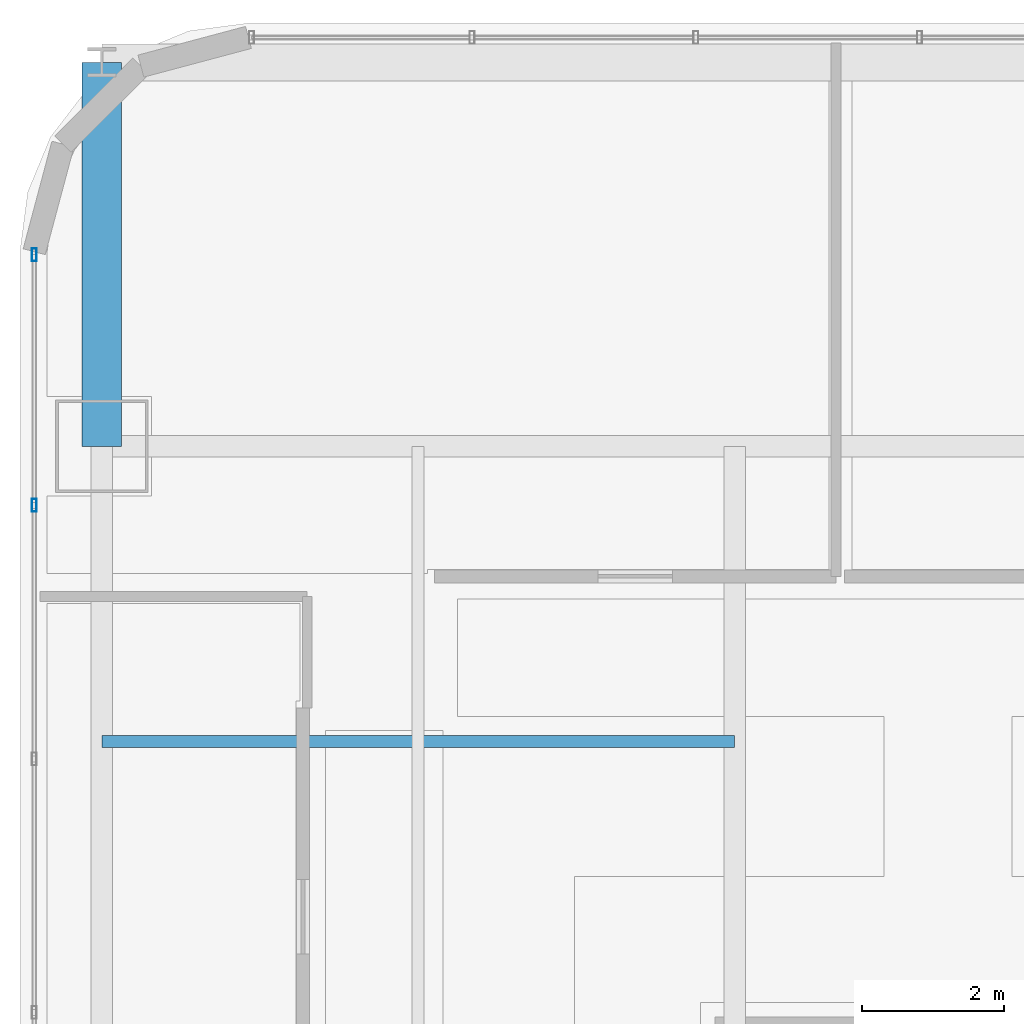
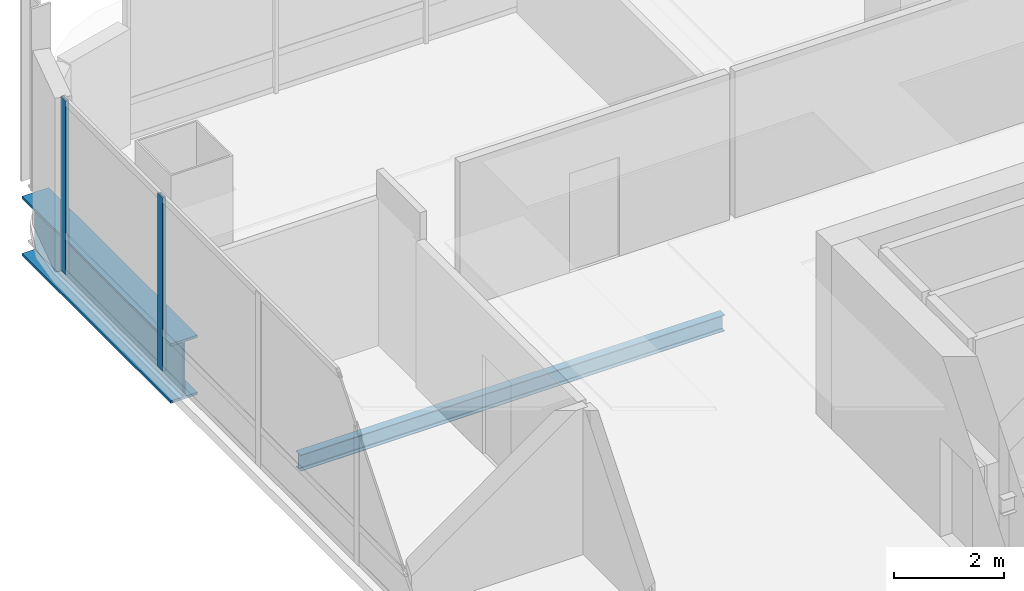
# One storey, part 20 of 44: 2 beams, 2 members, 1 element without a shape of its own.
"""IFC4 building model written with IfcOpenShell, lengths in metres."""

from ifc_helpers import new_model, si_unit, direction, frame, origin, origin_2d, place, context, subcontext, project, spatial, hollow_rectangle, i_section, extrude, material, material_profile, profile_set, type_object, element, aggregate, save


model = new_model("IFC4")

# Units and contexts
model_context = context("Model", 3, precision=1e-05, world=origin(), true_north=direction((0.0, 1.0)))
body_context = subcontext(model_context, "Body", "Model", "MODEL_VIEW")
ifc_project = project(units=[si_unit("LENGTHUNIT", "METRE"), si_unit("AREAUNIT", "SQUARE_METRE"), si_unit("VOLUMEUNIT", "CUBIC_METRE"), si_unit("PLANEANGLEUNIT", "RADIAN"), si_unit("MASSUNIT", "GRAM", prefix="KILO")], contexts=[model_context])

# Site, building, storey
site_placement = place(None, origin())
site = spatial("IfcSite", under=ifc_project, at=site_placement, CompositionType="ELEMENT")
building_placement = place(site_placement, origin())
building = spatial("IfcBuilding", under=site, at=building_placement, Name="Punatoya Terracotta Tower", CompositionType="ELEMENT")
storey_placement = place(building_placement, frame((0.0, 0.0, 267.60009765625)))
storey = spatial("IfcBuildingStorey", under=building, at=storey_placement, Name="L63", CompositionType="ELEMENT", Elevation=267.60009765625)

# Beams
ifc_material_1 = material(Name="Steel S355", Category="steel")
ifc_material_profile_1 = material_profile(ifc_material_1, i_section(OverallWidth=0.169921875, OverallDepth=0.360107421875, WebThickness=0.008056640625, FlangeThickness=0.0126953125, FilletRadius=0.01806640625, at=origin_2d()))
ifc_profile_set_1 = profile_set([ifc_material_profile_1], Name="Steel S355")
beam_type_1 = type_object("IfcBeamType", Name="BM-SEC-360", PredefinedType="JOIST", material=ifc_profile_set_1)
beam_1_placement = place(storey_placement, frame((-19.10009765625, 13.35009765625, -0.380126953125), z_axis=(1.0, 0.0, 0.0), x_axis=(0.0, 1.0, 0.0)))
element("IfcBeam", 1, at=beam_1_placement, inside=storey, type_object=beam_type_1, Name="BM-L63-SJN-1", PredefinedType="JOIST", context=body_context, shape_type="SweptSolid", body=[
    extrude(i_section(OverallWidth=0.169921875, OverallDepth=0.360107421875, WebThickness=0.008056640625, FlangeThickness=0.0126953125, FilletRadius=0.01806640625, at=origin_2d()), origin(), (0.0, 0.0, 1.0), 8.900146484375),
])
ifc_material_2 = material(Name="Steel S460", Category="steel")
ifc_material_profile_2 = material_profile(ifc_material_2, i_section(OverallWidth=0.56005859375, OverallDepth=1.320068359375, WebThickness=0.035888671875, FlangeThickness=0.054931640625, FilletRadius=0.01806640625, at=origin_2d()))
ifc_profile_set_2 = profile_set([ifc_material_profile_2], Name="Steel S460")
beam_type_2 = type_object("IfcBeamType", Name="BM-TG-BLK", PredefinedType="BEAM", material=ifc_profile_set_2)
beam_2_placement = place(storey_placement, frame((-19.10009765625, 17.5, -0.860107421875), z_axis=(0.0, 1.0, 0.0), x_axis=(-1.0, 0.0, 0.0)))
element("IfcBeam", 2, at=beam_2_placement, inside=storey, type_object=beam_type_2, Name="BM-L63-CANT-N1", PredefinedType="BEAM", context=body_context, shape_type="SweptSolid", body=[
    extrude(i_section(OverallWidth=0.56005859375, OverallDepth=1.320068359375, WebThickness=0.035888671875, FlangeThickness=0.054931640625, FilletRadius=0.01806640625, at=origin_2d()), origin(), (0.0, 0.0, 1.0), 5.39990234375),
])

# Curtain wall, members
ifc_material_3 = material(Name="Aluminium 6063-T6 + Double Low-E Glass", Category="aluminium")
curtain_wall_type = type_object("IfcCurtainWallType", Name="CW-M3", PredefinedType="NOTDEFINED", material=ifc_material_3)
curtain_wall_placement = place(storey_placement, origin())
curtain_wall = element("IfcCurtainWall", 3, at=curtain_wall_placement, inside=storey, type_object=curtain_wall_type, Name="L63 Curtain Wall CW-L63-W13-1", PredefinedType="NOTDEFINED")
ifc_material_4 = material(Name="Aluminium 6063-T6", Category="aluminium")
ifc_material_profile_3 = material_profile(ifc_material_4, hollow_rectangle(XDim=0.070068359375, YDim=0.179931640625, WallThickness=0.00390625, at=origin_2d()))
ifc_profile_set_3 = profile_set([ifc_material_profile_3], Name="Aluminium 6063-T6")
member_type = type_object("IfcMemberType", Name="CW-MUL-M3", PredefinedType="MULLION", material=ifc_profile_set_3)
member_1_placement = place(storey_placement, frame((-20.050048828125, 20.19189453125, 0.0), z_axis=(0.0, 0.0, 1.0), x_axis=(1.0, 0.0, 0.0)))
member_1 = element("IfcMember", 4, at=member_1_placement, type_object=member_type, Name="CW-L63-W13-1 Mullion 00", PredefinedType="MULLION", context=body_context, shape_type="SweptSolid", body=[
    extrude(hollow_rectangle(XDim=0.070068359375, YDim=0.179931640625, WallThickness=0.00390625, at=origin_2d()), origin(), (0.0, 0.0, 1.0), 3.849853515625),
])
member_2_placement = place(storey_placement, frame((-20.050048828125, 16.66943359375, 0.0), z_axis=(0.0, 0.0, 1.0), x_axis=(1.0, 0.0, 0.0)))
member_2 = element("IfcMember", 5, at=member_2_placement, type_object=member_type, Name="CW-L63-W13-1 Mullion 01", PredefinedType="MULLION", context=body_context, shape_type="SweptSolid", body=[
    extrude(hollow_rectangle(XDim=0.070068359375, YDim=0.179931640625, WallThickness=0.00390625, at=origin_2d()), origin(), (0.0, 0.0, 1.0), 3.849853515625),
])
aggregate(curtain_wall, [member_1, member_2])

save(model, "model.ifc")
